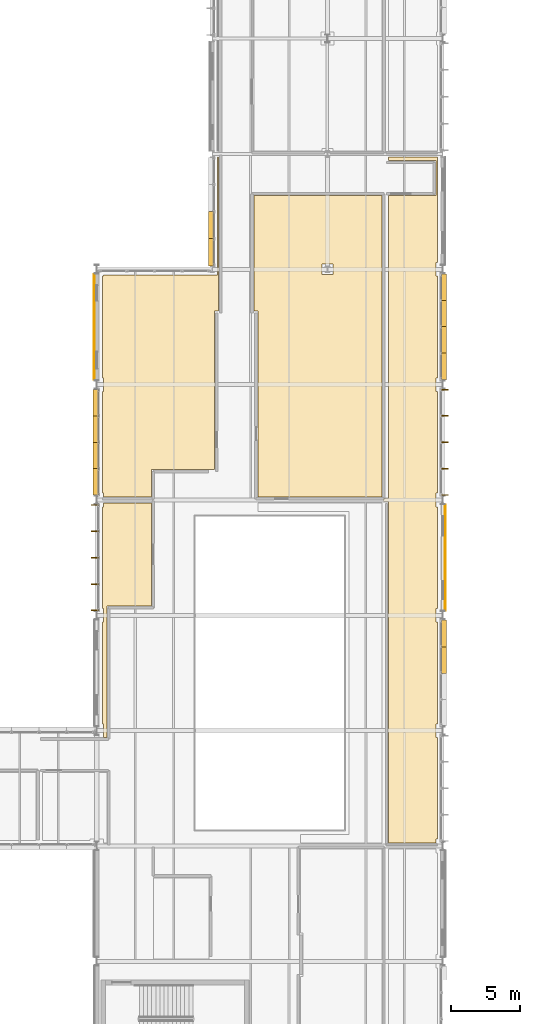
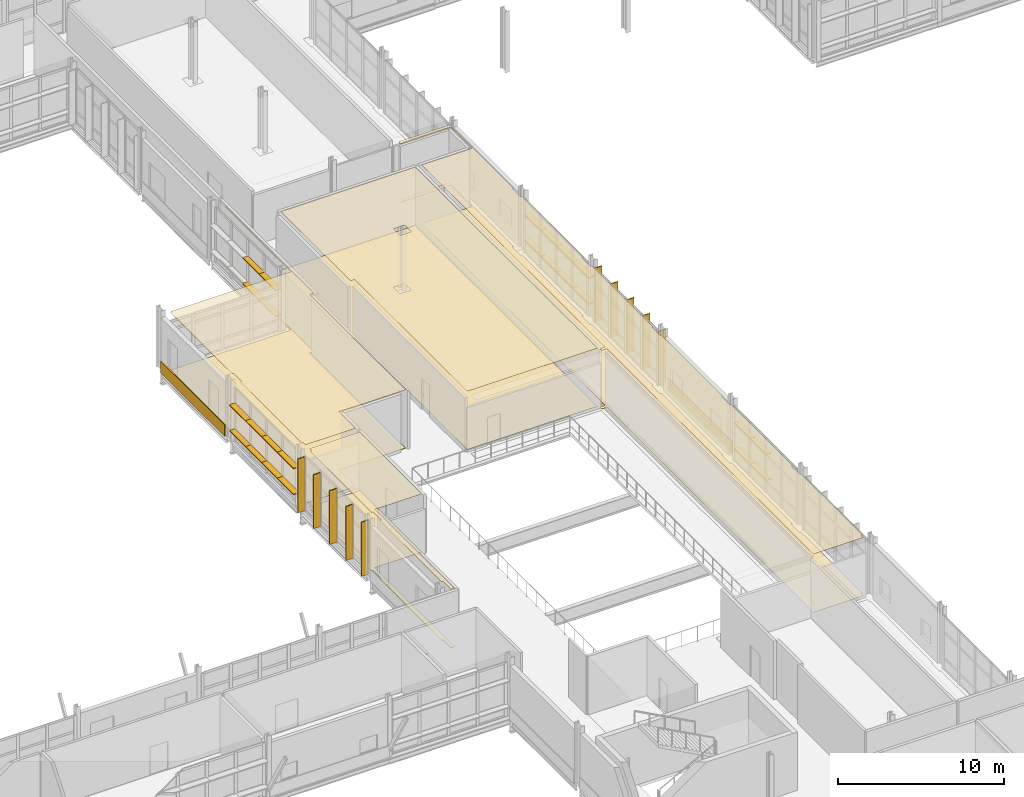
# One storey, part 119 of 129: 34 shading devices, 10 coverings.
"""IFC4 building model written with IfcOpenShell, lengths in metres."""

from ifc_helpers import new_model, si_unit, direction, frame, origin, origin_2d, place, context, subcontext, project, spatial, polyline, rectangle, outline, extrude, material, layer, layer_set, type_object, element, save


model = new_model("IFC4")

# Units and contexts
model_context = context("Model", 3, precision=1e-05, world=origin(), true_north=direction((0.0, 1.0)))
body_context = subcontext(model_context, "Body", "Model", "MODEL_VIEW")
ifc_project = project(units=[si_unit("LENGTHUNIT", "METRE"), si_unit("AREAUNIT", "SQUARE_METRE"), si_unit("VOLUMEUNIT", "CUBIC_METRE"), si_unit("PLANEANGLEUNIT", "RADIAN"), si_unit("MASSUNIT", "GRAM", prefix="KILO")], contexts=[model_context])

# Site, building, storey
site_placement = place(None, origin())
site = spatial("IfcSite", under=ifc_project, at=site_placement, CompositionType="ELEMENT")
building_placement = place(site_placement, origin())
building = spatial("IfcBuilding", under=site, at=building_placement, Name="Mersafa Astral City Hall", CompositionType="ELEMENT")
storey_placement = place(building_placement, frame((0.0, 0.0, 5.39990234375)))
storey = spatial("IfcBuildingStorey", under=building, at=storey_placement, Name="L01", CompositionType="ELEMENT", Elevation=5.39990234375)

# Coverings
ifc_material_1 = material(Name="Cairo Mokattam buff limestone cladding", Category="masonry")
ifc_layer_1 = layer(ifc_material_1, 0.06005859375, Name="Cairo Mokattam buff limestone cladding")
ifc_layer_set_1 = layer_set([ifc_layer_1], Name="Cairo Mokattam buff limestone cladding — ENV-COV-LIMESTONE-60")
covering_type_1 = type_object("IfcCoveringType", Name="ENV-COV-LIMESTONE-60", PredefinedType="CLADDING", material=ifc_layer_set_1)
for number, where, z_axis, x_axis, name in (
    (1, (117.76953125, 71.39990234375, 0.0), (0.0, 0.0, 1.0), (0.0, 1.0, 0.0), "L01 Cairo buff limestone rainscreen cladding 79"),
    (2, (92.222900390625, 88.199951171875, 0.0), (0.0, 0.0, 1.0), (0.0, -1.0, 0.0), "L01 Cairo buff limestone rainscreen cladding 126"),
):
    element("IfcCovering", number, at=place(storey_placement, frame(where, z_axis=z_axis, x_axis=x_axis)), inside=storey, type_object=covering_type_1, Name=name, PredefinedType="CLADDING", context=body_context, shape_type="SweptSolid", body=[
        extrude(rectangle(XDim=7.697998046875, YDim=0.06005859375, at=origin_2d()), origin(), (0.0, 0.0, 1.0), 0.860107421875),
    ])

# Shading devices
ifc_material_2 = material(Name="Anodised bronze aluminium solar fin", Category="aluminium")
shading_device_type_1 = type_object("IfcShadingDeviceType", Name="ENV-SHD-FIN-500B", PredefinedType="USERDEFINED", material=ifc_material_2)
for number, where, z_axis, x_axis, name in (
    (3, (117.7451171875, 75.967041015625, -0.014892578125), (0.0, 0.0, 1.0), (0.0, 1.0, 0.0), "L01 Vertical bronze solar fin 364"),
    (4, (117.7451171875, 77.868408203125, -0.014892578125), (0.0, 0.0, 1.0), (0.0, 1.0, 0.0), "L01 Vertical bronze solar fin 365"),
    (5, (117.7451171875, 79.800048828125, -0.014892578125), (0.0, 0.0, 1.0), (0.0, 1.0, 0.0), "L01 Vertical bronze solar fin 366"),
    (6, (117.7451171875, 81.7314453125, -0.014892578125), (0.0, 0.0, 1.0), (0.0, 1.0, 0.0), "L01 Vertical bronze solar fin 367"),
    (7, (117.7451171875, 83.633056640625, -0.014892578125), (0.0, 0.0, 1.0), (0.0, 1.0, 0.0), "L01 Vertical bronze solar fin 368"),
    (8, (92.2548828125, 75.23291015625, -0.014892578125), (0.0, 0.0, 1.0), (0.0, -1.0, 0.0), "L01 Vertical bronze solar fin 601"),
    (9, (92.2548828125, 73.33154296875, -0.014892578125), (0.0, 0.0, 1.0), (0.0, -1.0, 0.0), "L01 Vertical bronze solar fin 602"),
    (10, (92.2548828125, 71.39990234375, -0.014892578125), (0.0, 0.0, 1.0), (0.0, -1.0, 0.0), "L01 Vertical bronze solar fin 603"),
    (11, (92.2548828125, 69.468505859375, -0.014892578125), (0.0, 0.0, 1.0), (0.0, -1.0, 0.0), "L01 Vertical bronze solar fin 604"),
    (12, (92.2548828125, 67.56689453125, -0.014892578125), (0.0, 0.0, 1.0), (0.0, -1.0, 0.0), "L01 Vertical bronze solar fin 605"),
):
    element("IfcShadingDevice", number, at=place(storey_placement, frame(where, z_axis=z_axis, x_axis=x_axis)), inside=storey, type_object=shading_device_type_1, Name=name, ObjectType="FIN", PredefinedType="USERDEFINED", context=body_context, shape_type="SweptSolid", body=[
        extrude(rectangle(XDim=0.06005859375, YDim=0.5, at=origin_2d()), origin(), (0.0, 0.0, 1.0), 3.9619140625),
    ])
ifc_material_3 = material(Name="Kiln-dried cedar timber brise-soleil blade", Category="wood")
shading_device_type_2 = type_object("IfcShadingDeviceType", Name="ENV-SHD-LOUVRE-380", PredefinedType="JALOUSIE", material=ifc_material_3)
shading_device_1_placement = place(storey_placement, frame((117.679931640625, 63.9658203125, 0.81494140625), z_axis=(0.0, 0.0, 1.0), x_axis=(0.0, 1.0, 0.0)))
element("IfcShadingDevice", 13, at=shading_device_1_placement, inside=storey, type_object=shading_device_type_2, Name="L01 Horizontal cedar brise-soleil louvre 358", PredefinedType="JALOUSIE", context=body_context, shape_type="SweptSolid", body=[
    extrude(rectangle(XDim=1.971435546875, YDim=0.3798828125, at=origin_2d()), origin(), (0.0, 0.0, 1.0), 0.070068359375),
])
shading_device_2_placement = place(storey_placement, frame((117.679931640625, 65.882080078125, 0.81494140625), z_axis=(0.0, 0.0, 1.0), x_axis=(0.0, 1.0, 0.0)))
element("IfcShadingDevice", 14, at=shading_device_2_placement, inside=storey, type_object=shading_device_type_2, Name="L01 Horizontal cedar brise-soleil louvre 359", PredefinedType="JALOUSIE", context=body_context, shape_type="SweptSolid", body=[
    extrude(rectangle(XDim=1.94140625, YDim=0.3798828125, at=origin_2d()), origin(), (0.0, 0.0, 1.0), 0.070068359375),
])
shading_device_3_placement = place(storey_placement, frame((117.679931640625, 63.9658203125, 2.71484375), z_axis=(0.0, 0.0, 1.0), x_axis=(0.0, 1.0, 0.0)))
element("IfcShadingDevice", 15, at=shading_device_3_placement, inside=storey, type_object=shading_device_type_2, Name="L01 Horizontal cedar brise-soleil louvre 362", PredefinedType="JALOUSIE", context=body_context, shape_type="SweptSolid", body=[
    extrude(rectangle(XDim=1.971435546875, YDim=0.3798828125, at=origin_2d()), origin(), (0.0, 0.0, 1.0), 0.070068359375),
])
for number, where, z_axis, x_axis, name in (
    (16, (117.679931640625, 65.882080078125, 2.71484375), (0.0, 0.0, 1.0), (0.0, 1.0, 0.0), "L01 Horizontal cedar brise-soleil louvre 363"),
    (17, (117.679931640625, 85.31787109375, 0.81494140625), (0.0, 0.0, 1.0), (0.0, 1.0, 0.0), "L01 Horizontal cedar brise-soleil louvre 369"),
):
    element("IfcShadingDevice", number, at=place(storey_placement, frame(where, z_axis=z_axis, x_axis=x_axis)), inside=storey, type_object=shading_device_type_2, Name=name, PredefinedType="JALOUSIE", context=body_context, shape_type="SweptSolid", body=[
        extrude(rectangle(XDim=1.94140625, YDim=0.3798828125, at=origin_2d()), origin(), (0.0, 0.0, 1.0), 0.070068359375),
    ])
for number, where, z_axis, x_axis, name in (
    (18, (117.679931640625, 87.234375, 0.81494140625), (0.0, 0.0, 1.0), (0.0, 1.0, 0.0), "L01 Horizontal cedar brise-soleil louvre 370"),
    (19, (117.679931640625, 89.165771484375, 0.81494140625), (0.0, 0.0, 1.0), (0.0, 1.0, 0.0), "L01 Horizontal cedar brise-soleil louvre 371"),
):
    element("IfcShadingDevice", number, at=place(storey_placement, frame(where, z_axis=z_axis, x_axis=x_axis)), inside=storey, type_object=shading_device_type_2, Name=name, PredefinedType="JALOUSIE", context=body_context, shape_type="SweptSolid", body=[
        extrude(rectangle(XDim=1.971435546875, YDim=0.3798828125, at=origin_2d()), origin(), (0.0, 0.0, 1.0), 0.070068359375),
    ])
for number, where, z_axis, x_axis, name in (
    (20, (117.679931640625, 91.082275390625, 0.81494140625), (0.0, 0.0, 1.0), (0.0, 1.0, 0.0), "L01 Horizontal cedar brise-soleil louvre 372"),
    (21, (117.679931640625, 85.31787109375, 2.71484375), (0.0, 0.0, 1.0), (0.0, 1.0, 0.0), "L01 Horizontal cedar brise-soleil louvre 373"),
):
    element("IfcShadingDevice", number, at=place(storey_placement, frame(where, z_axis=z_axis, x_axis=x_axis)), inside=storey, type_object=shading_device_type_2, Name=name, PredefinedType="JALOUSIE", context=body_context, shape_type="SweptSolid", body=[
        extrude(rectangle(XDim=1.94140625, YDim=0.3798828125, at=origin_2d()), origin(), (0.0, 0.0, 1.0), 0.070068359375),
    ])
for number, where, z_axis, x_axis, name in (
    (22, (117.679931640625, 87.234375, 2.71484375), (0.0, 0.0, 1.0), (0.0, 1.0, 0.0), "L01 Horizontal cedar brise-soleil louvre 374"),
    (23, (117.679931640625, 89.165771484375, 2.71484375), (0.0, 0.0, 1.0), (0.0, 1.0, 0.0), "L01 Horizontal cedar brise-soleil louvre 375"),
):
    element("IfcShadingDevice", number, at=place(storey_placement, frame(where, z_axis=z_axis, x_axis=x_axis)), inside=storey, type_object=shading_device_type_2, Name=name, PredefinedType="JALOUSIE", context=body_context, shape_type="SweptSolid", body=[
        extrude(rectangle(XDim=1.971435546875, YDim=0.3798828125, at=origin_2d()), origin(), (0.0, 0.0, 1.0), 0.070068359375),
    ])
shading_device_4_placement = place(storey_placement, frame((117.679931640625, 91.082275390625, 2.71484375), z_axis=(0.0, 0.0, 1.0), x_axis=(0.0, 1.0, 0.0)))
element("IfcShadingDevice", 24, at=shading_device_4_placement, inside=storey, type_object=shading_device_type_2, Name="L01 Horizontal cedar brise-soleil louvre 376", PredefinedType="JALOUSIE", context=body_context, shape_type="SweptSolid", body=[
    extrude(rectangle(XDim=1.94140625, YDim=0.3798828125, at=origin_2d()), origin(), (0.0, 0.0, 1.0), 0.070068359375),
])
shading_device_5_placement = place(storey_placement, frame((100.719970703125, 95.609375, 0.81494140625), z_axis=(0.0, 0.0, 1.0), x_axis=(0.0, -1.0, 0.0)))
element("IfcShadingDevice", 25, at=shading_device_5_placement, inside=storey, type_object=shading_device_type_2, Name="L01 Horizontal cedar brise-soleil louvre 587", PredefinedType="JALOUSIE", context=body_context, shape_type="SweptSolid", body=[
    extrude(rectangle(XDim=2.021484375, YDim=0.3798828125, at=origin_2d()), origin(), (0.0, 0.0, 1.0), 0.070068359375),
])
shading_device_6_placement = place(storey_placement, frame((100.719970703125, 93.642822265625, 0.81494140625), z_axis=(0.0, 0.0, 1.0), x_axis=(0.0, -1.0, 0.0)))
element("IfcShadingDevice", 26, at=shading_device_6_placement, inside=storey, type_object=shading_device_type_2, Name="L01 Horizontal cedar brise-soleil louvre 588", PredefinedType="JALOUSIE", context=body_context, shape_type="SweptSolid", body=[
    extrude(rectangle(XDim=1.991455078125, YDim=0.3798828125, at=origin_2d()), origin(), (0.0, 0.0, 1.0), 0.070068359375),
])
shading_device_7_placement = place(storey_placement, frame((100.719970703125, 95.609375, 2.71484375), z_axis=(0.0, 0.0, 1.0), x_axis=(0.0, -1.0, 0.0)))
element("IfcShadingDevice", 27, at=shading_device_7_placement, inside=storey, type_object=shading_device_type_2, Name="L01 Horizontal cedar brise-soleil louvre 591", PredefinedType="JALOUSIE", context=body_context, shape_type="SweptSolid", body=[
    extrude(rectangle(XDim=2.021484375, YDim=0.3798828125, at=origin_2d()), origin(), (0.0, 0.0, 1.0), 0.070068359375),
])
shading_device_8_placement = place(storey_placement, frame((100.719970703125, 93.642822265625, 2.71484375), z_axis=(0.0, 0.0, 1.0), x_axis=(0.0, -1.0, 0.0)))
element("IfcShadingDevice", 28, at=shading_device_8_placement, inside=storey, type_object=shading_device_type_2, Name="L01 Horizontal cedar brise-soleil louvre 592", PredefinedType="JALOUSIE", context=body_context, shape_type="SweptSolid", body=[
    extrude(rectangle(XDim=1.991455078125, YDim=0.3798828125, at=origin_2d()), origin(), (0.0, 0.0, 1.0), 0.070068359375),
])
shading_device_9_placement = place(storey_placement, frame((92.320068359375, 82.68212890625, 0.81494140625), z_axis=(0.0, 0.0, 1.0), x_axis=(0.0, -1.0, 0.0)))
element("IfcShadingDevice", 29, at=shading_device_9_placement, inside=storey, type_object=shading_device_type_2, Name="L01 Horizontal cedar brise-soleil louvre 593", PredefinedType="JALOUSIE", context=body_context, shape_type="SweptSolid", body=[
    extrude(rectangle(XDim=1.94140625, YDim=0.3798828125, at=origin_2d()), origin(), (0.0, 0.0, 1.0), 0.070068359375),
])
for number, where, z_axis, x_axis, name in (
    (30, (92.320068359375, 80.765625, 0.81494140625), (0.0, 0.0, 1.0), (0.0, -1.0, 0.0), "L01 Horizontal cedar brise-soleil louvre 594"),
    (31, (92.320068359375, 78.834228515625, 0.81494140625), (0.0, 0.0, 1.0), (0.0, -1.0, 0.0), "L01 Horizontal cedar brise-soleil louvre 595"),
):
    element("IfcShadingDevice", number, at=place(storey_placement, frame(where, z_axis=z_axis, x_axis=x_axis)), inside=storey, type_object=shading_device_type_2, Name=name, PredefinedType="JALOUSIE", context=body_context, shape_type="SweptSolid", body=[
        extrude(rectangle(XDim=1.971435546875, YDim=0.3798828125, at=origin_2d()), origin(), (0.0, 0.0, 1.0), 0.070068359375),
    ])
for number, where, z_axis, x_axis, name in (
    (32, (92.320068359375, 76.917724609375, 0.81494140625), (0.0, 0.0, 1.0), (0.0, -1.0, 0.0), "L01 Horizontal cedar brise-soleil louvre 596"),
    (33, (92.320068359375, 82.68212890625, 2.71484375), (0.0, 0.0, 1.0), (0.0, -1.0, 0.0), "L01 Horizontal cedar brise-soleil louvre 597"),
):
    element("IfcShadingDevice", number, at=place(storey_placement, frame(where, z_axis=z_axis, x_axis=x_axis)), inside=storey, type_object=shading_device_type_2, Name=name, PredefinedType="JALOUSIE", context=body_context, shape_type="SweptSolid", body=[
        extrude(rectangle(XDim=1.94140625, YDim=0.3798828125, at=origin_2d()), origin(), (0.0, 0.0, 1.0), 0.070068359375),
    ])
for number, where, z_axis, x_axis, name in (
    (34, (92.320068359375, 80.765625, 2.71484375), (0.0, 0.0, 1.0), (0.0, -1.0, 0.0), "L01 Horizontal cedar brise-soleil louvre 598"),
    (35, (92.320068359375, 78.834228515625, 2.71484375), (0.0, 0.0, 1.0), (0.0, -1.0, 0.0), "L01 Horizontal cedar brise-soleil louvre 599"),
):
    element("IfcShadingDevice", number, at=place(storey_placement, frame(where, z_axis=z_axis, x_axis=x_axis)), inside=storey, type_object=shading_device_type_2, Name=name, PredefinedType="JALOUSIE", context=body_context, shape_type="SweptSolid", body=[
        extrude(rectangle(XDim=1.971435546875, YDim=0.3798828125, at=origin_2d()), origin(), (0.0, 0.0, 1.0), 0.070068359375),
    ])
shading_device_10_placement = place(storey_placement, frame((92.320068359375, 76.917724609375, 2.71484375), z_axis=(0.0, 0.0, 1.0), x_axis=(0.0, -1.0, 0.0)))
element("IfcShadingDevice", 36, at=shading_device_10_placement, inside=storey, type_object=shading_device_type_2, Name="L01 Horizontal cedar brise-soleil louvre 600", PredefinedType="JALOUSIE", context=body_context, shape_type="SweptSolid", body=[
    extrude(rectangle(XDim=1.94140625, YDim=0.3798828125, at=origin_2d()), origin(), (0.0, 0.0, 1.0), 0.070068359375),
])

# Coverings
ifc_material_4 = material(Name="Perforated acoustic gypsum board ceiling", Category="gypsum")
ifc_layer_2 = layer(ifc_material_4, 0.02490234375, Name="Perforated acoustic gypsum board ceiling")
ifc_layer_set_2 = layer_set([ifc_layer_2], Name="Perforated acoustic gypsum board ceiling — INT-COV-CEIL-25")
covering_type_2 = type_object("IfcCoveringType", Name="INT-COV-CEIL-25", PredefinedType="CEILING", material=ifc_layer_set_2)
covering_1_placement = place(storey_placement, frame((0.0, 0.0, 4.281005859375)))
element("IfcCovering", 37, at=covering_1_placement, inside=storey, type_object=covering_type_2, Name="L01 Standing Committee Room L01-03 acoustic ceiling", PredefinedType="CEILING", context=body_context, shape_type="SweptSolid", body=[
    extrude(outline(polyline([(103.840087890625, 97.760009765625), (113.169921875, 97.760009765625), (113.169921875, 75.830078125), (104.1298828125, 75.830078125), (104.1298828125, 89.360107421875), (103.840087890625, 89.360107421875), (103.840087890625, 97.760009765625)]), holes=[polyline([(108.804931640625, 92.0048828125), (109.594970703125, 92.0048828125), (109.594970703125, 92.794921875), (108.804931640625, 92.794921875), (108.804931640625, 92.0048828125)])]), origin(), (0.0, 0.0, 1.0), 0.025146484375),
])
covering_2_placement = place(storey_placement, frame((0.0, 0.0, 4.281005859375)))
element("IfcCovering", 38, at=covering_2_placement, inside=storey, type_object=covering_type_2, Name="L01 Municipal Administration Office L01-06 acoustic ceiling", PredefinedType="CEILING", context=body_context, shape_type="SweptSolid", body=[
    extrude(outline(polyline([(92.89501953125, 91.905029296875), (92.89501953125, 92.0), (101.199951171875, 92.0), (101.199951171875, 100.570068359375), (101.280029296875, 100.570068359375), (101.280029296875, 89.360107421875), (100.989990234375, 89.360107421875), (100.989990234375, 77.820068359375), (96.3798828125, 77.820068359375), (96.3798828125, 75.830078125), (92.89501953125, 75.830078125), (92.89501953125, 76.094970703125), (92.800048828125, 76.094970703125), (92.800048828125, 83.5048828125), (92.89501953125, 83.5048828125), (92.89501953125, 84.4951171875), (92.800048828125, 84.4951171875), (92.800048828125, 91.905029296875), (92.89501953125, 91.905029296875)])), origin(), (0.0, 0.0, 1.0), 0.025146484375),
])
covering_3_placement = place(storey_placement, frame((0.0, 0.0, 4.281005859375)))
element("IfcCovering", 39, at=covering_3_placement, inside=storey, type_object=covering_type_2, Name="L01 Public Petitions Hearing Room L01-09 acoustic ceiling", PredefinedType="CEILING", context=body_context, shape_type="SweptSolid", body=[
    extrude(outline(polyline([(113.280029296875, 75.719970703125), (113.6298828125, 75.719970703125), (113.6298828125, 97.760009765625), (117.1201171875, 97.760009765625), (117.1201171875, 100.320068359375), (113.6298828125, 100.320068359375), (113.6298828125, 100.570068359375), (117.199951171875, 100.570068359375), (117.199951171875, 92.89501953125), (117.10498046875, 92.89501953125), (117.10498046875, 91.905029296875), (117.199951171875, 91.905029296875), (117.199951171875, 84.4951171875), (117.10498046875, 84.4951171875), (117.10498046875, 83.5048828125), (117.199951171875, 83.5048828125), (117.199951171875, 76.094970703125), (117.10498046875, 76.094970703125), (117.10498046875, 75.10498046875), (117.199951171875, 75.10498046875), (117.199951171875, 67.695068359375), (117.10498046875, 67.695068359375), (117.10498046875, 66.705078125), (117.199951171875, 66.705078125), (117.199951171875, 59.294921875), (117.10498046875, 59.294921875), (117.10498046875, 58.304931640625), (117.199951171875, 58.304931640625), (117.199951171875, 50.89501953125), (117.10498046875, 50.89501953125), (117.10498046875, 50.6298828125), (113.6298828125, 50.6298828125), (113.6298828125, 75.47998046875), (113.280029296875, 75.47998046875), (113.280029296875, 75.719970703125)])), origin(), (0.0, 0.0, 1.0), 0.025146484375),
])
covering_4_placement = place(storey_placement, frame((0.0, 0.0, 4.281005859375)))
element("IfcCovering", 40, at=covering_4_placement, inside=storey, type_object=covering_type_2, Name="L01 Public Petitions Hearing Room L01-27 acoustic ceiling", PredefinedType="CEILING", context=body_context, shape_type="SweptSolid", body=[
    extrude(outline(polyline([(92.89501953125, 59.294921875), (92.800048828125, 59.294921875), (92.800048828125, 66.705078125), (92.89501953125, 66.705078125), (92.89501953125, 67.695068359375), (92.800048828125, 67.695068359375), (92.800048828125, 75.10498046875), (92.89501953125, 75.10498046875), (92.89501953125, 75.3701171875), (96.3798828125, 75.3701171875), (96.3798828125, 67.8798828125), (93.1298828125, 67.8798828125), (93.1298828125, 58.320068359375), (92.89501953125, 58.320068359375), (92.89501953125, 59.294921875)])), origin(), (0.0, 0.0, 1.0), 0.025146484375),
])
ifc_material_5 = material(Name="Honed Cairo limestone terrazzo flooring", Category="masonry")
ifc_layer_3 = layer(ifc_material_5, 0.02001953125, Name="Honed Cairo limestone terrazzo flooring")
ifc_layer_set_3 = layer_set([ifc_layer_3], Name="Honed Cairo limestone terrazzo flooring — INT-COV-FLR-20")
covering_type_3 = type_object("IfcCoveringType", Name="INT-COV-FLR-20", PredefinedType="FLOORING", material=ifc_layer_set_3)
covering_5_placement = place(storey_placement, frame((0.0, 0.0, -0.00146484375)))
element("IfcCovering", 41, at=covering_5_placement, inside=storey, type_object=covering_type_3, Name="L01 Standing Committee Room L01-03 architectural flooring", PredefinedType="FLOORING", context=body_context, shape_type="SweptSolid", body=[
    extrude(outline(polyline([(103.840087890625, 97.760009765625), (113.169921875, 97.760009765625), (113.169921875, 75.830078125), (104.1298828125, 75.830078125), (104.1298828125, 89.360107421875), (103.840087890625, 89.360107421875), (103.840087890625, 97.760009765625)]), holes=[polyline([(108.804931640625, 92.0048828125), (109.594970703125, 92.0048828125), (109.594970703125, 92.794921875), (108.804931640625, 92.794921875), (108.804931640625, 92.0048828125)])]), origin(), (0.0, 0.0, 1.0), 0.02001953125),
])
covering_6_placement = place(storey_placement, frame((0.0, 0.0, -0.00146484375)))
element("IfcCovering", 42, at=covering_6_placement, inside=storey, type_object=covering_type_3, Name="L01 Municipal Administration Office L01-06 architectural flooring", PredefinedType="FLOORING", context=body_context, shape_type="SweptSolid", body=[
    extrude(outline(polyline([(92.89501953125, 91.905029296875), (92.89501953125, 92.0), (101.199951171875, 92.0), (101.199951171875, 100.570068359375), (101.280029296875, 100.570068359375), (101.280029296875, 89.360107421875), (100.989990234375, 89.360107421875), (100.989990234375, 77.820068359375), (96.3798828125, 77.820068359375), (96.3798828125, 75.830078125), (92.89501953125, 75.830078125), (92.89501953125, 76.094970703125), (92.800048828125, 76.094970703125), (92.800048828125, 83.5048828125), (92.89501953125, 83.5048828125), (92.89501953125, 84.4951171875), (92.800048828125, 84.4951171875), (92.800048828125, 91.905029296875), (92.89501953125, 91.905029296875)])), origin(), (0.0, 0.0, 1.0), 0.02001953125),
])
covering_7_placement = place(storey_placement, frame((0.0, 0.0, -0.00146484375)))
element("IfcCovering", 43, at=covering_7_placement, inside=storey, type_object=covering_type_3, Name="L01 Public Petitions Hearing Room L01-09 architectural flooring", PredefinedType="FLOORING", context=body_context, shape_type="SweptSolid", body=[
    extrude(outline(polyline([(113.280029296875, 75.719970703125), (113.6298828125, 75.719970703125), (113.6298828125, 97.760009765625), (117.1201171875, 97.760009765625), (117.1201171875, 100.320068359375), (113.6298828125, 100.320068359375), (113.6298828125, 100.570068359375), (117.199951171875, 100.570068359375), (117.199951171875, 92.89501953125), (117.10498046875, 92.89501953125), (117.10498046875, 91.905029296875), (117.199951171875, 91.905029296875), (117.199951171875, 84.4951171875), (117.10498046875, 84.4951171875), (117.10498046875, 83.5048828125), (117.199951171875, 83.5048828125), (117.199951171875, 76.094970703125), (117.10498046875, 76.094970703125), (117.10498046875, 75.10498046875), (117.199951171875, 75.10498046875), (117.199951171875, 67.695068359375), (117.10498046875, 67.695068359375), (117.10498046875, 66.705078125), (117.199951171875, 66.705078125), (117.199951171875, 59.294921875), (117.10498046875, 59.294921875), (117.10498046875, 58.304931640625), (117.199951171875, 58.304931640625), (117.199951171875, 50.89501953125), (117.10498046875, 50.89501953125), (117.10498046875, 50.6298828125), (113.6298828125, 50.6298828125), (113.6298828125, 75.47998046875), (113.280029296875, 75.47998046875), (113.280029296875, 75.719970703125)])), origin(), (0.0, 0.0, 1.0), 0.02001953125),
])
covering_8_placement = place(storey_placement, frame((0.0, 0.0, -0.00146484375)))
element("IfcCovering", 44, at=covering_8_placement, inside=storey, type_object=covering_type_3, Name="L01 Public Petitions Hearing Room L01-27 architectural flooring", PredefinedType="FLOORING", context=body_context, shape_type="SweptSolid", body=[
    extrude(outline(polyline([(92.89501953125, 59.294921875), (92.800048828125, 59.294921875), (92.800048828125, 66.705078125), (92.89501953125, 66.705078125), (92.89501953125, 67.695068359375), (92.800048828125, 67.695068359375), (92.800048828125, 75.10498046875), (92.89501953125, 75.10498046875), (92.89501953125, 75.3701171875), (96.3798828125, 75.3701171875), (96.3798828125, 67.8798828125), (93.1298828125, 67.8798828125), (93.1298828125, 58.320068359375), (92.89501953125, 58.320068359375), (92.89501953125, 59.294921875)])), origin(), (0.0, 0.0, 1.0), 0.02001953125),
])

save(model, "model.ifc")
